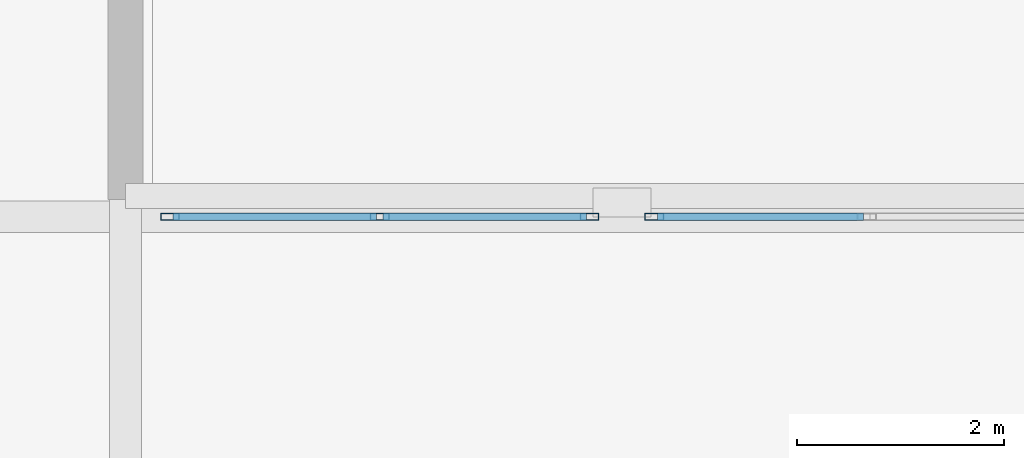
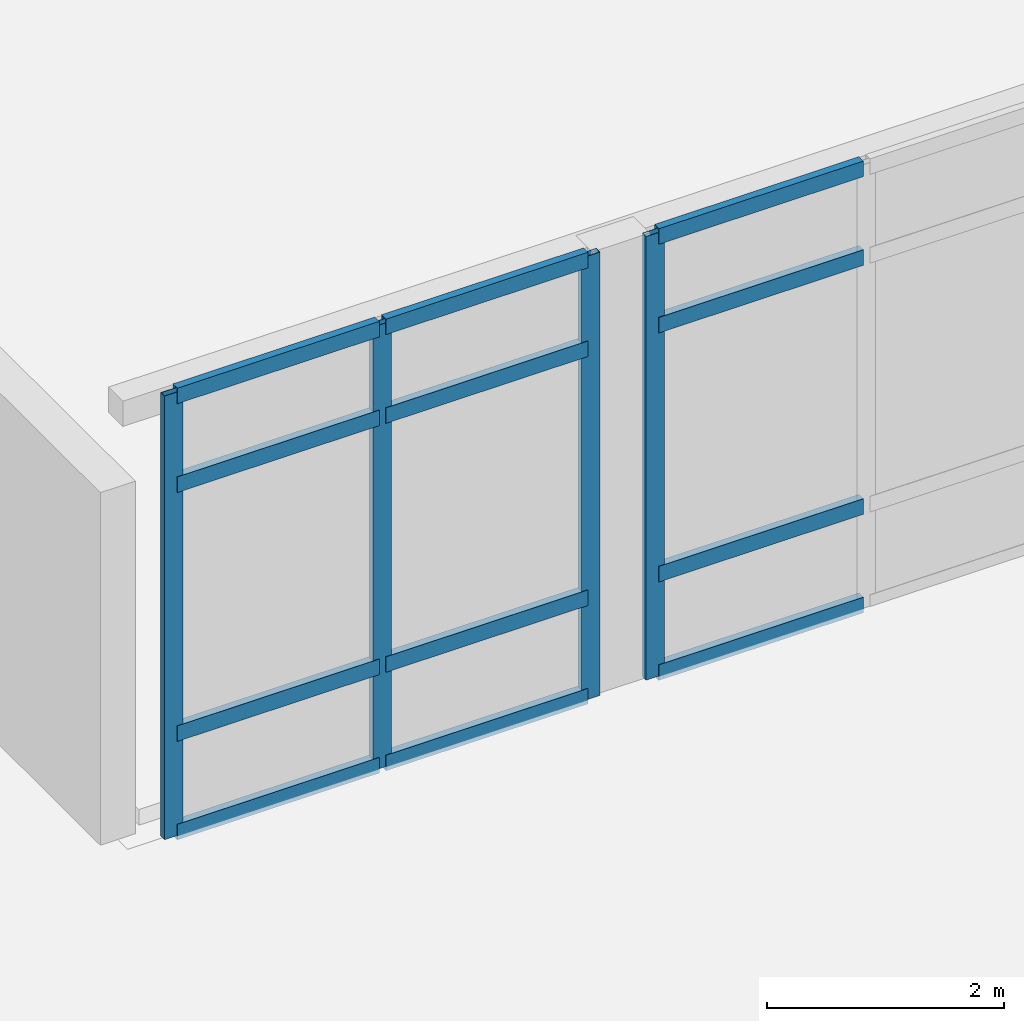
# One storey, part 17 of 52: 16 members, 2 elements without a shape of their own.
"""IFC4 building model written with IfcOpenShell, lengths in metres."""

from ifc_helpers import new_model, si_unit, direction, frame, origin, origin_2d, place, context, subcontext, project, spatial, hollow_rectangle, extrude, material, layer, layer_set, material_profile, profile_set, type_object, element, aggregate, save


model = new_model("IFC4")

# Units and contexts
model_context = context("Model", 3, precision=1e-05, world=origin(), true_north=direction((0.0, 1.0)))
body_context = subcontext(model_context, "Body", "Model", "MODEL_VIEW")
ifc_project = project(units=[si_unit("LENGTHUNIT", "METRE"), si_unit("AREAUNIT", "SQUARE_METRE"), si_unit("VOLUMEUNIT", "CUBIC_METRE"), si_unit("PLANEANGLEUNIT", "RADIAN"), si_unit("MASSUNIT", "GRAM", prefix="KILO")], contexts=[model_context])

# Site, building, storey
site_placement = place(None, origin())
site = spatial("IfcSite", under=ifc_project, at=site_placement, CompositionType="ELEMENT")
building_placement = place(site_placement, origin())
building = spatial("IfcBuilding", under=site, at=building_placement, Name="Lornevale Opera House", CompositionType="ELEMENT")
storey_placement = place(building_placement, frame((0.0, 0.0, 15.0)))
storey = spatial("IfcBuildingStorey", under=building, at=storey_placement, Name="L04", CompositionType="ELEMENT", Elevation=15.0)

# Curtain wall, members
ifc_material = material(Name="Anodized Oxide-Green Aluminium Framing", Category="aluminium")
ifc_layer = layer(ifc_material, 0.18505859375)
ifc_layer_set = layer_set([ifc_layer], Name="Anodized Oxide-Green Aluminium Framing")
curtain_wall_type = type_object("IfcCurtainWallType", Name="Conservatory Curtain Wall M2100", PredefinedType="NOTDEFINED", material=ifc_layer_set)
curtain_wall_1_placement = place(storey_placement, origin())
curtain_wall_1 = element("IfcCurtainWall", 1, at=curtain_wall_1_placement, inside=storey, type_object=curtain_wall_type, Name="Conservatory Curtain Wall M2100 CW-151", PredefinedType="NOTDEFINED")
ifc_material_profile_1 = material_profile(ifc_material, hollow_rectangle(XDim=0.06494140625, YDim=0.179931640625, WallThickness=0.0048828125, at=origin_2d()), Name="ALU65x180x5")
ifc_profile_set_1 = profile_set([ifc_material_profile_1], Name="Anodized Oxide-Green Aluminium Framing")
member_type_1 = type_object("IfcMemberType", Name="Curtain Wall Mullion 65x180", PredefinedType="MULLION", material=ifc_profile_set_1)
member_1_placement = place(storey_placement, frame((106.028564453125, 75.60009765625, 0.0), z_axis=(0.0, 0.0, 1.0), x_axis=(0.0, 1.0, 0.0)))
member_1 = element("IfcMember", 2, at=member_1_placement, type_object=member_type_1, Name="Curtain Wall Mullion 65x180 CW3119", PredefinedType="MULLION", context=body_context, shape_type="SweptSolid", body=[
    extrude(hollow_rectangle(XDim=0.06494140625, YDim=0.179931640625, WallThickness=0.0048828125, at=origin_2d()), origin(), (0.0, 0.0, 1.0), 4.56005859375),
])
member_2_placement = place(storey_placement, frame((108.05810546875, 75.60009765625, 0.0), z_axis=(0.0, 0.0, 1.0), x_axis=(0.0, 1.0, 0.0)))
member_2 = element("IfcMember", 3, at=member_2_placement, type_object=member_type_1, Name="Curtain Wall Mullion 65x180 CW3120", PredefinedType="MULLION", context=body_context, shape_type="SweptSolid", body=[
    extrude(hollow_rectangle(XDim=0.06494140625, YDim=0.179931640625, WallThickness=0.0048828125, at=origin_2d()), origin(), (0.0, 0.0, 1.0), 4.56005859375),
])
member_3_placement = place(storey_placement, frame((110.08740234375, 75.60009765625, 0.0), z_axis=(0.0, 0.0, 1.0), x_axis=(0.0, 1.0, 0.0)))
member_3 = element("IfcMember", 4, at=member_3_placement, type_object=member_type_1, Name="Curtain Wall Mullion 65x180 CW3121", PredefinedType="MULLION", context=body_context, shape_type="SweptSolid", body=[
    extrude(hollow_rectangle(XDim=0.06494140625, YDim=0.179931640625, WallThickness=0.0048828125, at=origin_2d()), origin(), (0.0, 0.0, 1.0), 4.56005859375),
])

# Curtain wall, member
curtain_wall_2_placement = place(storey_placement, origin())
curtain_wall_2 = element("IfcCurtainWall", 5, at=curtain_wall_2_placement, inside=storey, type_object=curtain_wall_type, Name="Conservatory Curtain Wall M2100 CW-152", PredefinedType="NOTDEFINED")
member_4_placement = place(storey_placement, frame((110.71240234375, 75.60009765625, 0.0), z_axis=(0.0, 0.0, 1.0), x_axis=(0.0, 1.0, 0.0)))
member_4 = element("IfcMember", 6, at=member_4_placement, type_object=member_type_1, Name="Curtain Wall Mullion 65x180 CW3136", PredefinedType="MULLION", context=body_context, shape_type="SweptSolid", body=[
    extrude(hollow_rectangle(XDim=0.06494140625, YDim=0.179931640625, WallThickness=0.0048828125, at=origin_2d()), origin(), (0.0, 0.0, 1.0), 4.56005859375),
])

# Member
ifc_material_profile_2 = material_profile(ifc_material, hollow_rectangle(XDim=0.074951171875, YDim=0.159912109375, WallThickness=0.0048828125, at=origin_2d()), Name="ALU75x160x5")
ifc_profile_set_2 = profile_set([ifc_material_profile_2], Name="Anodized Oxide-Green Aluminium Framing")
member_type_2 = type_object("IfcMemberType", Name="Curtain Wall Transom 75x160", PredefinedType="USERDEFINED", material=ifc_profile_set_2)
member_5_placement = place(storey_placement, frame((106.06103515625, 75.60009765625, 0.03759765625), z_axis=(1.0, 0.0, 0.0), x_axis=(0.0, 1.0, 0.0)))
member_5 = element("IfcMember", 7, at=member_5_placement, type_object=member_type_2, Name="Curtain Wall Transom 75x160 CW3122", ObjectType="TRANSOM", PredefinedType="USERDEFINED", context=body_context, shape_type="SweptSolid", body=[
    extrude(hollow_rectangle(XDim=0.074951171875, YDim=0.159912109375, WallThickness=0.0048828125, at=origin_2d()), origin(), (0.0, 0.0, 1.0), 1.96435546875),
])

member_6_placement = place(storey_placement, frame((106.06103515625, 75.60009765625, 1.050048828125), z_axis=(1.0, 0.0, 0.0), x_axis=(0.0, 1.0, 0.0)))
member_6 = element("IfcMember", 8, at=member_6_placement, type_object=member_type_2, Name="Curtain Wall Transom 75x160 CW3123", ObjectType="TRANSOM", PredefinedType="USERDEFINED", context=body_context, shape_type="SweptSolid", body=[
    extrude(hollow_rectangle(XDim=0.074951171875, YDim=0.159912109375, WallThickness=0.0048828125, at=origin_2d()), origin(), (0.0, 0.0, 1.0), 1.96435546875),
])

member_7_placement = place(storey_placement, frame((106.06103515625, 75.60009765625, 3.610107421875), z_axis=(1.0, 0.0, 0.0), x_axis=(0.0, 1.0, 0.0)))
member_7 = element("IfcMember", 9, at=member_7_placement, type_object=member_type_2, Name="Curtain Wall Transom 75x160 CW3124", ObjectType="TRANSOM", PredefinedType="USERDEFINED", context=body_context, shape_type="SweptSolid", body=[
    extrude(hollow_rectangle(XDim=0.074951171875, YDim=0.159912109375, WallThickness=0.0048828125, at=origin_2d()), origin(), (0.0, 0.0, 1.0), 1.96435546875),
])

member_8_placement = place(storey_placement, frame((106.06103515625, 75.60009765625, 4.5224609375), z_axis=(1.0, 0.0, 0.0), x_axis=(0.0, 1.0, 0.0)))
member_8 = element("IfcMember", 10, at=member_8_placement, type_object=member_type_2, Name="Curtain Wall Transom 75x160 CW3125", ObjectType="TRANSOM", PredefinedType="USERDEFINED", context=body_context, shape_type="SweptSolid", body=[
    extrude(hollow_rectangle(XDim=0.074951171875, YDim=0.159912109375, WallThickness=0.0048828125, at=origin_2d()), origin(), (0.0, 0.0, 1.0), 1.96435546875),
])

member_9_placement = place(storey_placement, frame((108.090576171875, 75.60009765625, 0.03759765625), z_axis=(1.0, 0.0, 0.0), x_axis=(0.0, 1.0, 0.0)))
member_9 = element("IfcMember", 11, at=member_9_placement, type_object=member_type_2, Name="Curtain Wall Transom 75x160 CW3129", ObjectType="TRANSOM", PredefinedType="USERDEFINED", context=body_context, shape_type="SweptSolid", body=[
    extrude(hollow_rectangle(XDim=0.074951171875, YDim=0.159912109375, WallThickness=0.0048828125, at=origin_2d()), origin(), (0.0, 0.0, 1.0), 1.96435546875),
])

member_10_placement = place(storey_placement, frame((108.090576171875, 75.60009765625, 1.050048828125), z_axis=(1.0, 0.0, 0.0), x_axis=(0.0, 1.0, 0.0)))
member_10 = element("IfcMember", 12, at=member_10_placement, type_object=member_type_2, Name="Curtain Wall Transom 75x160 CW3130", ObjectType="TRANSOM", PredefinedType="USERDEFINED", context=body_context, shape_type="SweptSolid", body=[
    extrude(hollow_rectangle(XDim=0.074951171875, YDim=0.159912109375, WallThickness=0.0048828125, at=origin_2d()), origin(), (0.0, 0.0, 1.0), 1.96435546875),
])

member_11_placement = place(storey_placement, frame((108.090576171875, 75.60009765625, 3.610107421875), z_axis=(1.0, 0.0, 0.0), x_axis=(0.0, 1.0, 0.0)))
member_11 = element("IfcMember", 13, at=member_11_placement, type_object=member_type_2, Name="Curtain Wall Transom 75x160 CW3131", ObjectType="TRANSOM", PredefinedType="USERDEFINED", context=body_context, shape_type="SweptSolid", body=[
    extrude(hollow_rectangle(XDim=0.074951171875, YDim=0.159912109375, WallThickness=0.0048828125, at=origin_2d()), origin(), (0.0, 0.0, 1.0), 1.96435546875),
])

member_12_placement = place(storey_placement, frame((108.090576171875, 75.60009765625, 4.5224609375), z_axis=(1.0, 0.0, 0.0), x_axis=(0.0, 1.0, 0.0)))
member_12 = element("IfcMember", 14, at=member_12_placement, type_object=member_type_2, Name="Curtain Wall Transom 75x160 CW3132", ObjectType="TRANSOM", PredefinedType="USERDEFINED", context=body_context, shape_type="SweptSolid", body=[
    extrude(hollow_rectangle(XDim=0.074951171875, YDim=0.159912109375, WallThickness=0.0048828125, at=origin_2d()), origin(), (0.0, 0.0, 1.0), 1.96435546875),
])

aggregate(curtain_wall_1, [member_1, member_2, member_3, member_5, member_6, member_7, member_8, member_9, member_10, member_11, member_12])

member_13_placement = place(storey_placement, frame((110.7451171875, 75.60009765625, 0.03759765625), z_axis=(1.0, 0.0, 0.0), x_axis=(0.0, 1.0, 0.0)))
member_13 = element("IfcMember", 15, at=member_13_placement, type_object=member_type_2, Name="Curtain Wall Transom 75x160 CW3139", ObjectType="TRANSOM", PredefinedType="USERDEFINED", context=body_context, shape_type="SweptSolid", body=[
    extrude(hollow_rectangle(XDim=0.074951171875, YDim=0.159912109375, WallThickness=0.0048828125, at=origin_2d()), origin(), (0.0, 0.0, 1.0), 1.989501953125),
])

member_14_placement = place(storey_placement, frame((110.7451171875, 75.60009765625, 1.050048828125), z_axis=(1.0, 0.0, 0.0), x_axis=(0.0, 1.0, 0.0)))
member_14 = element("IfcMember", 16, at=member_14_placement, type_object=member_type_2, Name="Curtain Wall Transom 75x160 CW3140", ObjectType="TRANSOM", PredefinedType="USERDEFINED", context=body_context, shape_type="SweptSolid", body=[
    extrude(hollow_rectangle(XDim=0.074951171875, YDim=0.159912109375, WallThickness=0.0048828125, at=origin_2d()), origin(), (0.0, 0.0, 1.0), 1.989501953125),
])

member_15_placement = place(storey_placement, frame((110.7451171875, 75.60009765625, 3.610107421875), z_axis=(1.0, 0.0, 0.0), x_axis=(0.0, 1.0, 0.0)))
member_15 = element("IfcMember", 17, at=member_15_placement, type_object=member_type_2, Name="Curtain Wall Transom 75x160 CW3141", ObjectType="TRANSOM", PredefinedType="USERDEFINED", context=body_context, shape_type="SweptSolid", body=[
    extrude(hollow_rectangle(XDim=0.074951171875, YDim=0.159912109375, WallThickness=0.0048828125, at=origin_2d()), origin(), (0.0, 0.0, 1.0), 1.989501953125),
])

member_16_placement = place(storey_placement, frame((110.7451171875, 75.60009765625, 4.5224609375), z_axis=(1.0, 0.0, 0.0), x_axis=(0.0, 1.0, 0.0)))
member_16 = element("IfcMember", 18, at=member_16_placement, type_object=member_type_2, Name="Curtain Wall Transom 75x160 CW3142", ObjectType="TRANSOM", PredefinedType="USERDEFINED", context=body_context, shape_type="SweptSolid", body=[
    extrude(hollow_rectangle(XDim=0.074951171875, YDim=0.159912109375, WallThickness=0.0048828125, at=origin_2d()), origin(), (0.0, 0.0, 1.0), 1.989501953125),
])

aggregate(curtain_wall_2, [member_4, member_13, member_14, member_15, member_16])

save(model, "model.ifc")
